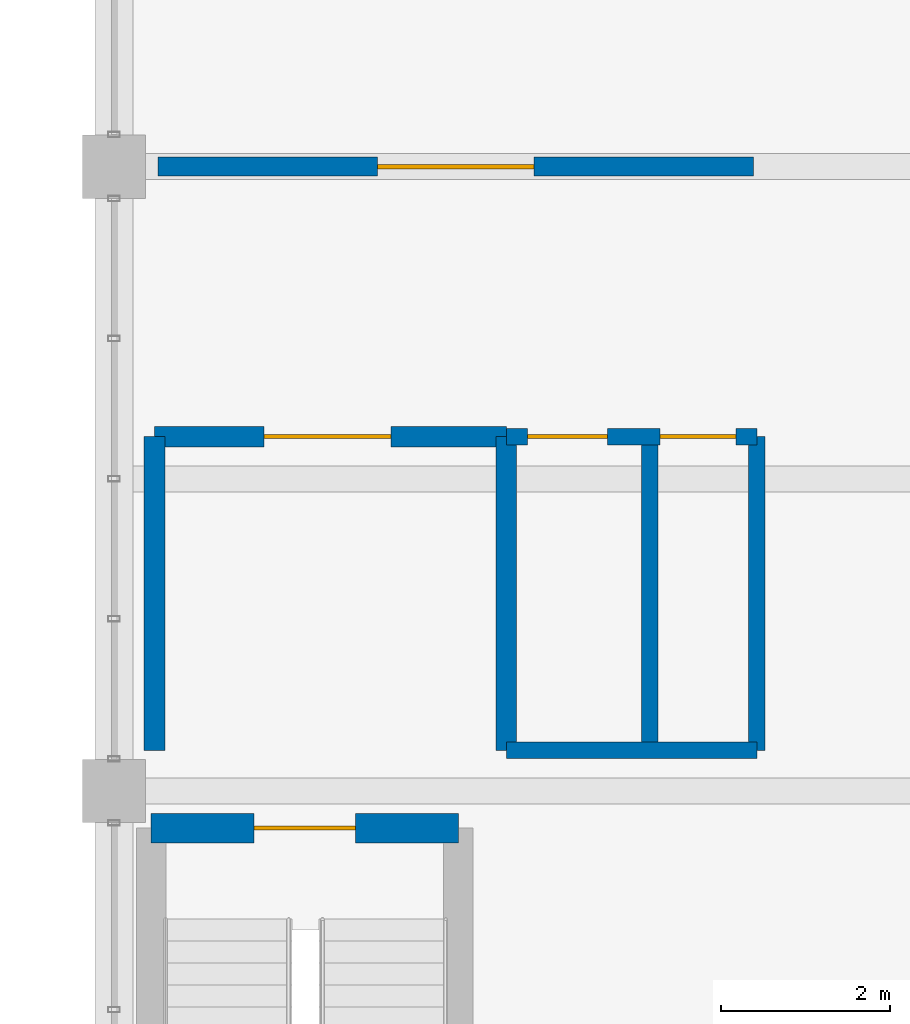
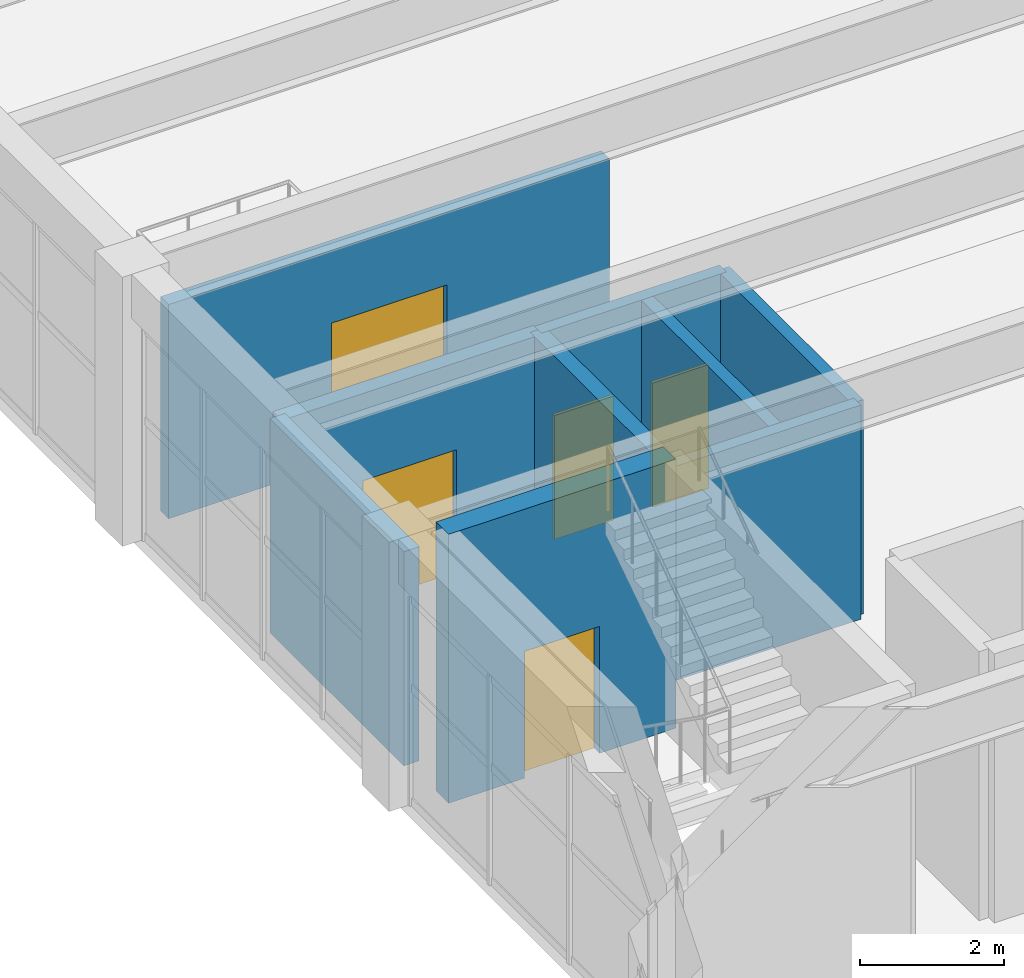
# One storey, part 150 of 161: 9 walls, 5 doors, 5 openings.
"""IFC4 building model written with IfcOpenShell, lengths in metres."""

import ifcopenshell
import ifcopenshell.guid

model = None  # the IFC model being written
_history = None  # IfcOwnerHistory: only IFC2X3 demands one
_inside = {}  # id of a spatial element -> (the spatial element, [elements in it])
_under = {}  # id of a project, library or spatial element -> (it, [spatial elements below it])
_declared = {}  # id of a project -> (the project, [libraries it declares])
_typed = {}  # id of a type object -> (the type object, [elements of that type])
_made_of = {}  # id of a material, layer set ... -> (it, [elements and type objects made of it])


def new_model(schema):
    """Start an empty IFC model of exactly this schema.

    Asked for "IFC4X3", IfcOpenShell would pick the latest addendum, in which some entities
    have other attributes; the version numbers below select the first issue.
    IFC2X3 requires an IfcOwnerHistory on every rooted entity: one is made here for all.
    """
    global model, _history
    if schema == "IFC4X3":
        model = ifcopenshell.file(schema_version=(4, 3, 0, 0))
    else:
        model = ifcopenshell.file(schema=schema)
    _inside.clear()
    _under.clear()
    _declared.clear()
    _typed.clear()
    _made_of.clear()
    _history = None
    if model.schema == "IFC2X3":
        org = make("IfcOrganization", Name="unknown")
        user = make(
            "IfcPersonAndOrganization",
            ThePerson=make("IfcPerson", FamilyName="unknown"),
            TheOrganization=org,
        )
        app = make(
            "IfcApplication",
            ApplicationDeveloper=org,
            Version="unknown",
            ApplicationFullName="unknown",
            ApplicationIdentifier="unknown",
        )
        _history = make(
            "IfcOwnerHistory",
            OwningUser=user,
            OwningApplication=app,
            ChangeAction="ADDED",
            CreationDate=0,
        )
    return model


def make(cls, **values):
    """One entity of the class cls with the attributes given. An attribute that is None is left unset."""
    return model.create_entity(
        cls, **{name: value for name, value in values.items() if value is not None}
    )


def rooted(cls, **values):
    """An entity with a GlobalId (a new one), such as an element, a storey or a relation."""
    return make(cls, GlobalId=ifcopenshell.guid.new(), OwnerHistory=_history, **values)


def si_unit(unit_type, name, prefix=None):
    """IfcSIUnit, for example si_unit("LENGTHUNIT", "METRE", prefix="MILLI")."""
    return make("IfcSIUnit", UnitType=unit_type, Prefix=prefix, Name=name)


def assignment(units):
    """IfcUnitAssignment: the units of a project."""
    return None if units is None else make("IfcUnitAssignment", Units=units)


def point(xyz):
    """IfcCartesianPoint."""
    return None if xyz is None else make("IfcCartesianPoint", Coordinates=xyz)


def direction(xyz):
    """IfcDirection."""
    return None if xyz is None else make("IfcDirection", DirectionRatios=xyz)


def frame(location, z_axis=None, x_axis=None):
    """IfcAxis2Placement3D, a coordinate frame: its origin and axes. An axis left out is left unset."""
    return make(
        "IfcAxis2Placement3D",
        Location=point(location),
        Axis=direction(z_axis),
        RefDirection=direction(x_axis),
    )


def frame_2d(location, x_axis=None):
    """IfcAxis2Placement2D, a coordinate frame in the plane: its origin and x axis."""
    return make(
        "IfcAxis2Placement2D", Location=point(location), RefDirection=direction(x_axis)
    )


def origin():
    """The frame at (0, 0, 0) with its axes left unset."""
    return frame((0.0, 0.0, 0.0))


def place(relative_to, where):
    """IfcLocalPlacement: puts the frame where relative to a parent placement (None: the world)."""
    return make(
        "IfcLocalPlacement", PlacementRelTo=relative_to, RelativePlacement=where
    )


def context(
    kind, dimensions, precision=None, world=None, true_north=None, identifier=None
):
    """IfcGeometricRepresentationContext, for example the 3D "Model" context."""
    return make(
        "IfcGeometricRepresentationContext",
        ContextIdentifier=identifier,
        ContextType=kind,
        CoordinateSpaceDimension=dimensions,
        Precision=precision,
        WorldCoordinateSystem=world,
        TrueNorth=true_north,
    )


def subcontext(parent, identifier, kind, view, scale=None):
    """IfcGeometricRepresentationSubContext, for example "Body" below "Model"."""
    return make(
        "IfcGeometricRepresentationSubContext",
        ContextIdentifier=identifier,
        ContextType=kind,
        ParentContext=parent,
        TargetScale=scale,
        TargetView=view,
    )


def project(units=None, contexts=None):
    """IfcProject with its units and contexts."""
    return rooted(
        "IfcProject",
        Name="project",
        RepresentationContexts=contexts,
        UnitsInContext=assignment(units),
    )


def spatial(cls, under=None, at=None, **own):
    """A site, building, storey or space (cls), placed at a placement, below another one or the project."""
    s = rooted(cls, ObjectPlacement=at, **own)
    if under is not None:
        _under.setdefault(under.id(), (under, []))[1].append(s)
    return s


def profile(cls, at=None, kind="AREA", **sizes):
    """A parametric profile (cls). Its sizes go by their IFC names, for example OverallWidth=200.0."""
    return make(cls, ProfileType=kind, Position=at, **sizes)


def rectangle(**sizes):
    """IfcRectangleProfileDef."""
    return profile("IfcRectangleProfileDef", **sizes)


def extrude(swept, where, along, depth):
    """IfcExtrudedAreaSolid: the profile swept, set in the frame where, extruded along a direction by depth."""
    return make(
        "IfcExtrudedAreaSolid",
        SweptArea=swept,
        Position=where,
        ExtrudedDirection=direction(along),
        Depth=depth,
    )


def shape(context_of_items, identifier, shape_type, items):
    """IfcShapeRepresentation: the items that make up one representation, for example the "Body"."""
    return make(
        "IfcShapeRepresentation",
        ContextOfItems=context_of_items,
        RepresentationIdentifier=identifier,
        RepresentationType=shape_type,
        Items=items,
    )


def material(Name=None, Category=None):
    """IfcMaterial."""
    return make("IfcMaterial", Name=Name, Category=Category)


def layer(
    of_material, thickness, ventilated=None, Name=None, Category=None, Priority=None
):
    """IfcMaterialLayer: one layer of a wall or slab, of a material (None: an air gap)."""
    return make(
        "IfcMaterialLayer",
        Material=of_material,
        LayerThickness=thickness,
        IsVentilated=ventilated,
        Name=Name,
        Category=Category,
        Priority=Priority,
    )


def layer_set(layers, Name=None):
    """IfcMaterialLayerSet."""
    return make("IfcMaterialLayerSet", MaterialLayers=layers, LayerSetName=Name)


def made_of(thing, what):
    """Note that an element or type object is made of a material, layer set ...; save() writes the relation."""
    if what is not None:
        _made_of.setdefault(what.id(), (what, []))[1].append(thing)
    return thing


def type_object(cls, material=None, **own):
    """A type object (cls), such as IfcWallType, which elements share."""
    return made_of(rooted(cls, **own), material)


def element(
    cls,
    number,
    at=None,
    inside=None,
    cuts=None,
    type_object=None,
    material=None,
    context=None,
    identifier="Body",
    shape_type=None,
    held_by="IfcProductDefinitionShape",
    body=None,
    shapes=None,
    **own,
):
    """One element of the class cls, such as IfcWall. Its Tag is "e" and its number.

    at: its placement. inside: the storey or other place that contains it. cuts: it is an
    opening in that element (IfcRelVoidsElement). A single representation is given by context,
    identifier, shape_type and body (its items); several are given by shapes. held_by: the class
    of the entity that holds the representations. save() writes the other relations.
    """
    e = rooted(cls, Tag="e%d" % number, ObjectPlacement=at, **own)
    if body is not None:
        shapes = [shape(context, identifier, shape_type, body)]
    if shapes is not None:
        e.Representation = make(held_by, Representations=shapes)
    if inside is not None:
        _inside.setdefault(inside.id(), (inside, []))[1].append(e)
    if cuts is not None:
        rooted(
            "IfcRelVoidsElement", RelatingBuildingElement=cuts, RelatedOpeningElement=e
        )
    if type_object is not None:
        _typed.setdefault(type_object.id(), (type_object, []))[1].append(e)
    return made_of(e, material)


def fill(opening, filler):
    """IfcRelFillsElement: the door or window that sits in an opening."""
    return rooted(
        "IfcRelFillsElement",
        RelatingOpeningElement=opening,
        RelatedBuildingElement=filler,
    )


def aggregate(whole, parts):
    """IfcRelAggregates: a whole, such as a stair, and the parts it consists of."""
    return rooted("IfcRelAggregates", RelatingObject=whole, RelatedObjects=parts)


def save(model, path):
    """Write the relations noted so far, then the file.

    IfcRelAggregates (storeys below a building ...), IfcRelContainedInSpatialStructure (elements
    in a storey), IfcRelDefinesByType, IfcRelAssociatesMaterial and IfcRelDeclares: one each for
    every whole, place, type object, material and project.
    """
    for whole, parts in _under.values():
        aggregate(whole, parts)
    for where, things in _inside.values():
        rooted(
            "IfcRelContainedInSpatialStructure",
            RelatedElements=things,
            RelatingStructure=where,
        )
    for kind, things in _typed.values():
        rooted("IfcRelDefinesByType", RelatedObjects=things, RelatingType=kind)
    for what, things in _made_of.values():
        rooted("IfcRelAssociatesMaterial", RelatedObjects=things, RelatingMaterial=what)
    for by, libraries in _declared.values():
        rooted("IfcRelDeclares", RelatingContext=by, RelatedDefinitions=libraries)
    model.write(path)


model = new_model("IFC4")

# Units and contexts
model_context = context("Model", 3, precision=1e-05, world=origin(), true_north=direction((0.0, 1.0)))
body_context = subcontext(model_context, "Body", "Model", "MODEL_VIEW")
ifc_project = project(units=[si_unit("LENGTHUNIT", "METRE"), si_unit("AREAUNIT", "SQUARE_METRE"), si_unit("VOLUMEUNIT", "CUBIC_METRE"), si_unit("PLANEANGLEUNIT", "RADIAN"), si_unit("MASSUNIT", "GRAM", prefix="KILO")], contexts=[model_context])

# Site, building, storey
site_placement = place(None, origin())
site = spatial("IfcSite", under=ifc_project, at=site_placement, CompositionType="ELEMENT")
building_placement = place(site_placement, origin())
building = spatial("IfcBuilding", under=site, at=building_placement, Name="Cimatlan Art Gallery", CompositionType="ELEMENT")
storey_placement = place(building_placement, frame((0.0, 0.0, 5.39990234375)))
storey = spatial("IfcBuildingStorey", under=building, at=storey_placement, Name="L01", CompositionType="ELEMENT", Elevation=5.39990234375)

# Wall, opening, door
ifc_material_1 = material(Name="Concrete C40/50", Category="concrete")
ifc_layer_1 = layer(ifc_material_1, 0.35009765625)
ifc_layer_set_1 = layer_set([ifc_layer_1], Name="Concrete C40/50")
wall_type_1 = type_object("IfcWallType", Name="W-CORE-350", PredefinedType="SHEAR", material=ifc_layer_set_1)
wall_1_placement = place(storey_placement, frame((75.340087890625, 67.860107421875, 0.0), z_axis=(0.0, 0.0, 1.0), x_axis=(1.0, 0.0, 0.0)))
wall_1 = element("IfcWall", 1, at=wall_1_placement, inside=storey, type_object=wall_type_1, Name="WL-CORE-C6-L01-SN", PredefinedType="SHEAR", context=body_context, shape_type="SweptSolid", body=[
    extrude(rectangle(XDim=3.639892578125, YDim=0.35009765625, at=frame_2d((1.81982421875, 0.0))), origin(), (0.0, 0.0, 1.0), 4.55517578125),
])
opening_1_placement = place(wall_1_placement, frame((1.219970703125, 0.0, 0.0)))
opening_1 = element("IfcOpeningElement", 2, at=opening_1_placement, cuts=wall_1, Name="Opening FD-C6-L01", PredefinedType="OPENING", context=body_context, shape_type="SweptSolid", body=[
    extrude(rectangle(XDim=1.199951171875, YDim=2.14990234375, at=frame_2d((0.60009765625, 1.074951171875))), frame((0.0, 0.18505859375, 0.0), z_axis=(0.0, -1.0, 0.0), x_axis=(1.0, 0.0, 0.0)), (0.0, 0.0, 1.0), 0.3701171875),
])
ifc_material_2 = material(Name="Fire-resisting steel acoustic stair door", Category="steel")
door_type_1 = type_object("IfcDoorType", Name="FD-ST-1200", OperationType="NOTDEFINED", PredefinedType="DOOR", material=ifc_material_2)
door_1_placement = place(opening_1_placement, origin())
door_1 = element("IfcDoor", 3, at=door_1_placement, inside=storey, type_object=door_type_1, Name="DR-C6-L01-ST", OperationType="SINGLE_SWING_LEFT", OverallHeight=2.14990234375, OverallWidth=1.199951171875, PredefinedType="DOOR", context=body_context, shape_type="SweptSolid", body=[
    extrude(rectangle(XDim=1.199951171875, YDim=2.14990234375, at=frame_2d((0.60009765625, 1.074951171875))), frame((0.0, 0.02490234375, 0.0), z_axis=(0.0, -1.0, 0.0), x_axis=(1.0, 0.0, 0.0)), (0.0, 0.0, 1.0), 0.050048828125),
])
fill(opening_1, door_1)

ifc_material_3 = material(Name="Precast concrete C40/50", Category="concrete")
ifc_layer_2 = layer(ifc_material_3, 0.2451171875)
ifc_layer_set_2 = layer_set([ifc_layer_2], Name="Precast concrete C40/50")
wall_type_2 = type_object("IfcWallType", Name="W-FFL-245", PredefinedType="PARTITIONING", material=ifc_layer_set_2)
wall_2_placement = place(storey_placement, frame((75.3798828125, 72.5, 0.0), z_axis=(0.0, 0.0, 1.0), x_axis=(1.0, 0.0, 0.0)))
wall_2 = element("IfcWall", 4, at=wall_2_placement, inside=storey, type_object=wall_type_2, Name="WL-LOB-C6-L01-N", PredefinedType="PARTITIONING", context=body_context, shape_type="SweptSolid", body=[
    extrude(rectangle(XDim=4.170166015625, YDim=0.2451171875, at=frame_2d((2.0849609375, 0.0))), origin(), (0.0, 0.0, 1.0), 3.627197265625),
])
opening_2_placement = place(wall_2_placement, frame((1.300048828125, 0.0, 0.0)))
opening_2 = element("IfcOpeningElement", 5, at=opening_2_placement, cuts=wall_2, Name="Opening FDL-C6-L01", PredefinedType="OPENING", context=body_context, shape_type="SweptSolid", body=[
    extrude(rectangle(XDim=1.5, YDim=2.14990234375, at=frame_2d((0.75, 1.074951171875))), frame((0.0, 0.132568359375, 0.0), z_axis=(0.0, -1.0, 0.0), x_axis=(1.0, 0.0, 0.0)), (0.0, 0.0, 1.0), 0.26513671875),
])
ifc_material_4 = material(Name="Fire-resisting double-seal lobby door")
door_type_2 = type_object("IfcDoorType", Name="FD-LB-1500", OperationType="NOTDEFINED", PredefinedType="DOOR", material=ifc_material_4)
door_2_placement = place(opening_2_placement, origin())
door_2 = element("IfcDoor", 6, at=door_2_placement, inside=storey, type_object=door_type_2, Name="DR-LOB-C6-L01", OperationType="SINGLE_SWING_RIGHT", OverallHeight=2.14990234375, OverallWidth=1.5, PredefinedType="DOOR", context=body_context, shape_type="SweptSolid", body=[
    extrude(rectangle(XDim=1.5, YDim=2.14990234375, at=frame_2d((0.75, 1.074951171875))), frame((0.0, 0.02490234375, 0.0), z_axis=(0.0, -1.0, 0.0), x_axis=(1.0, 0.0, 0.0)), (0.0, 0.0, 1.0), 0.050048828125),
])
fill(opening_2, door_2)

# Walls
for number, where, z_axis, x_axis, name in (
    (7, (75.3798828125, 68.780029296875, 0.0), (0.0, 0.0, 1.0), (0.0, 1.0, 0.0), "WL-LOB-C6-L01-W"),
    (8, (79.550048828125, 68.780029296875, 0.0), (0.0, 0.0, 1.0), (0.0, 1.0, 0.0), "WL-LOB-C6-L01-M"),
):
    element("IfcWall", number, at=place(storey_placement, frame(where, z_axis=z_axis, x_axis=x_axis)), inside=storey, type_object=wall_type_2, Name=name, PredefinedType="PARTITIONING", context=body_context, shape_type="SweptSolid", body=[
        extrude(rectangle(XDim=3.719970703125, YDim=0.2451171875, at=frame_2d((1.85986328125, 0.0))), origin(), (0.0, 0.0, 1.0), 3.627197265625),
    ])

# Wall, opening, door
ifc_material_5 = material(Name="Acoustic gypsum and steel stud partition", Category="steel")
ifc_layer_3 = layer(ifc_material_5, 0.22509765625)
ifc_layer_set_3 = layer_set([ifc_layer_3], Name="Acoustic gypsum and steel stud partition")
wall_type_3 = type_object("IfcWallType", Name="W-GAL-225", PredefinedType="PARTITIONING", material=ifc_layer_set_3)
wall_3_placement = place(storey_placement, frame((75.419921875, 75.699951171875, 0.0), z_axis=(0.0, 0.0, 1.0), x_axis=(1.0, 0.0, 0.0)))
wall_3 = element("IfcWall", 9, at=wall_3_placement, inside=storey, type_object=wall_type_3, Name="WL-RM-L01-GAL-C2", PredefinedType="PARTITIONING", context=body_context, shape_type="SweptSolid", body=[
    extrude(rectangle(XDim=7.06005859375, YDim=0.22509765625, at=frame_2d((3.530029296875, 0.0))), origin(), (0.0, 0.0, 1.0), 3.627197265625),
])
opening_3_placement = place(wall_3_placement, frame((2.60498046875, 0.0, 0.0)))
opening_3 = element("IfcOpeningElement", 10, at=opening_3_placement, cuts=wall_3, Name="Opening DI-0208", PredefinedType="OPENING", context=body_context, shape_type="SweptSolid", body=[
    extrude(rectangle(XDim=1.85009765625, YDim=2.39990234375, at=frame_2d((0.925048828125, 1.199951171875))), frame((0.0, 0.12255859375, 0.0), z_axis=(0.0, -1.0, 0.0), x_axis=(1.0, 0.0, 0.0)), (0.0, 0.0, 1.0), 0.2451171875),
])
ifc_material_6 = material(Name="European oak gallery portal door")
door_type_3 = type_object("IfcDoorType", Name="DI-GL-1850", OperationType="NOTDEFINED", PredefinedType="DOOR", material=ifc_material_6)
door_3_placement = place(opening_3_placement, origin())
door_3 = element("IfcDoor", 11, at=door_3_placement, inside=storey, type_object=door_type_3, Name="DR-RM-L01-GAL-C2", OperationType="SINGLE_SWING_RIGHT", OverallHeight=2.39990234375, OverallWidth=1.85009765625, PredefinedType="DOOR", context=body_context, shape_type="SweptSolid", body=[
    extrude(rectangle(XDim=1.85009765625, YDim=2.39990234375, at=frame_2d((0.925048828125, 1.199951171875))), frame((0.0, 0.02490234375, 0.0), z_axis=(0.0, -1.0, 0.0), x_axis=(1.0, 0.0, 0.0)), (0.0, 0.0, 1.0), 0.050048828125),
])
fill(opening_3, door_3)

# Walls
ifc_material_7 = material(Name="Moisture-resistant fire-rated plumbing wall")
ifc_layer_4 = layer(ifc_material_7, 0.195068359375)
ifc_layer_set_4 = layer_set([ifc_layer_4], Name="Moisture-resistant fire-rated plumbing wall")
wall_type_4 = type_object("IfcWallType", Name="W-PLM-195", PredefinedType="PARTITIONING", material=ifc_layer_set_4)
for number, where, z_axis, x_axis, name in (
    (12, (81.25, 68.780029296875, 0.0), (0.0, 0.0, 1.0), (0.0, 1.0, 0.0), "WL-LOB-C6-L01-D"),
    (13, (82.52001953125, 68.780029296875, 0.0), (0.0, 0.0, 1.0), (0.0, 1.0, 0.0), "WL-LOB-C6-L01-E"),
):
    element("IfcWall", number, at=place(storey_placement, frame(where, z_axis=z_axis, x_axis=x_axis)), inside=storey, type_object=wall_type_4, Name=name, PredefinedType="PARTITIONING", context=body_context, shape_type="SweptSolid", body=[
        extrude(rectangle(XDim=3.719970703125, YDim=0.195068359375, at=frame_2d((1.85986328125, 0.0))), origin(), (0.0, 0.0, 1.0), 3.627197265625),
    ])
wall_4_placement = place(storey_placement, frame((79.550048828125, 68.780029296875, 0.0), z_axis=(0.0, 0.0, 1.0), x_axis=(1.0, 0.0, 0.0)))
element("IfcWall", 14, at=wall_4_placement, inside=storey, type_object=wall_type_4, Name="WL-LOB-C6-L01-S", PredefinedType="PARTITIONING", context=body_context, shape_type="SweptSolid", body=[
    extrude(rectangle(XDim=2.969970703125, YDim=0.195068359375, at=frame_2d((1.48486328125, 0.0))), origin(), (0.0, 0.0, 1.0), 3.627197265625),
])

# Wall, openings, doors
wall_5_placement = place(storey_placement, frame((79.550048828125, 72.5, 0.0), z_axis=(0.0, 0.0, 1.0), x_axis=(1.0, 0.0, 0.0)))
wall_5 = element("IfcWall", 15, at=wall_5_placement, inside=storey, type_object=wall_type_4, Name="WL-WC-C6-L01-N", PredefinedType="PARTITIONING", context=body_context, shape_type="SweptSolid", body=[
    extrude(rectangle(XDim=2.969970703125, YDim=0.195068359375, at=frame_2d((1.48486328125, 0.0))), origin(), (0.0, 0.0, 1.0), 3.627197265625),
])
opening_4_placement = place(wall_5_placement, frame((0.25, 0.0, 0.0)))
opening_4 = element("IfcOpeningElement", 16, at=opening_4_placement, cuts=wall_5, Name="Opening DWC-C6A-L01", PredefinedType="OPENING", context=body_context, shape_type="SweptSolid", body=[
    extrude(rectangle(XDim=0.949951171875, YDim=2.10009765625, at=frame_2d((0.47509765625, 1.050048828125))), frame((0.0, 0.107421875, 0.0), z_axis=(0.0, -1.0, 0.0), x_axis=(1.0, 0.0, 0.0)), (0.0, 0.0, 1.0), 0.215087890625),
])
opening_5_placement = place(wall_5_placement, frame((1.820068359375, 0.0, 0.0)))
opening_5 = element("IfcOpeningElement", 17, at=opening_5_placement, cuts=wall_5, Name="Opening DWC-C6B-L01", PredefinedType="OPENING", context=body_context, shape_type="SweptSolid", body=[
    extrude(rectangle(XDim=0.89990234375, YDim=2.10009765625, at=frame_2d((0.449951171875, 1.050048828125))), frame((0.0, 0.107421875, 0.0), z_axis=(0.0, -1.0, 0.0), x_axis=(1.0, 0.0, 0.0)), (0.0, 0.0, 1.0), 0.215087890625),
])
ifc_material_8 = material(Name="Sanitary room door")
door_type_4 = type_object("IfcDoorType", Name="DI-WC-0900", OperationType="NOTDEFINED", PredefinedType="DOOR", material=ifc_material_8)
door_4_placement = place(opening_5_placement, origin())
door_4 = element("IfcDoor", 18, at=door_4_placement, inside=storey, type_object=door_type_4, Name="DR-PWC-C6-L01", OperationType="SINGLE_SWING_RIGHT", OverallHeight=2.10009765625, OverallWidth=0.89990234375, PredefinedType="DOOR", context=body_context, shape_type="SweptSolid", body=[
    extrude(rectangle(XDim=0.89990234375, YDim=2.10009765625, at=frame_2d((0.449951171875, 1.050048828125))), frame((0.0, 0.02490234375, 0.0), z_axis=(0.0, -1.0, 0.0), x_axis=(1.0, 0.0, 0.0)), (0.0, 0.0, 1.0), 0.050048828125),
])
fill(opening_5, door_4)
ifc_material_9 = material(Name="Accessible sanitary room door")
door_type_5 = type_object("IfcDoorType", Name="DI-WC-0950", OperationType="NOTDEFINED", PredefinedType="DOOR", material=ifc_material_9)
door_5_placement = place(opening_4_placement, origin())
door_5 = element("IfcDoor", 19, at=door_5_placement, inside=storey, type_object=door_type_5, Name="DR-AWC-C6-L01", OperationType="SINGLE_SWING_LEFT", OverallHeight=2.10009765625, OverallWidth=0.949951171875, PredefinedType="DOOR", context=body_context, shape_type="SweptSolid", body=[
    extrude(rectangle(XDim=0.949951171875, YDim=2.10009765625, at=frame_2d((0.47509765625, 1.050048828125))), frame((0.0, 0.02490234375, 0.0), z_axis=(0.0, -1.0, 0.0), x_axis=(1.0, 0.0, 0.0)), (0.0, 0.0, 1.0), 0.050048828125),
])
fill(opening_4, door_5)

save(model, "model.ifc")
